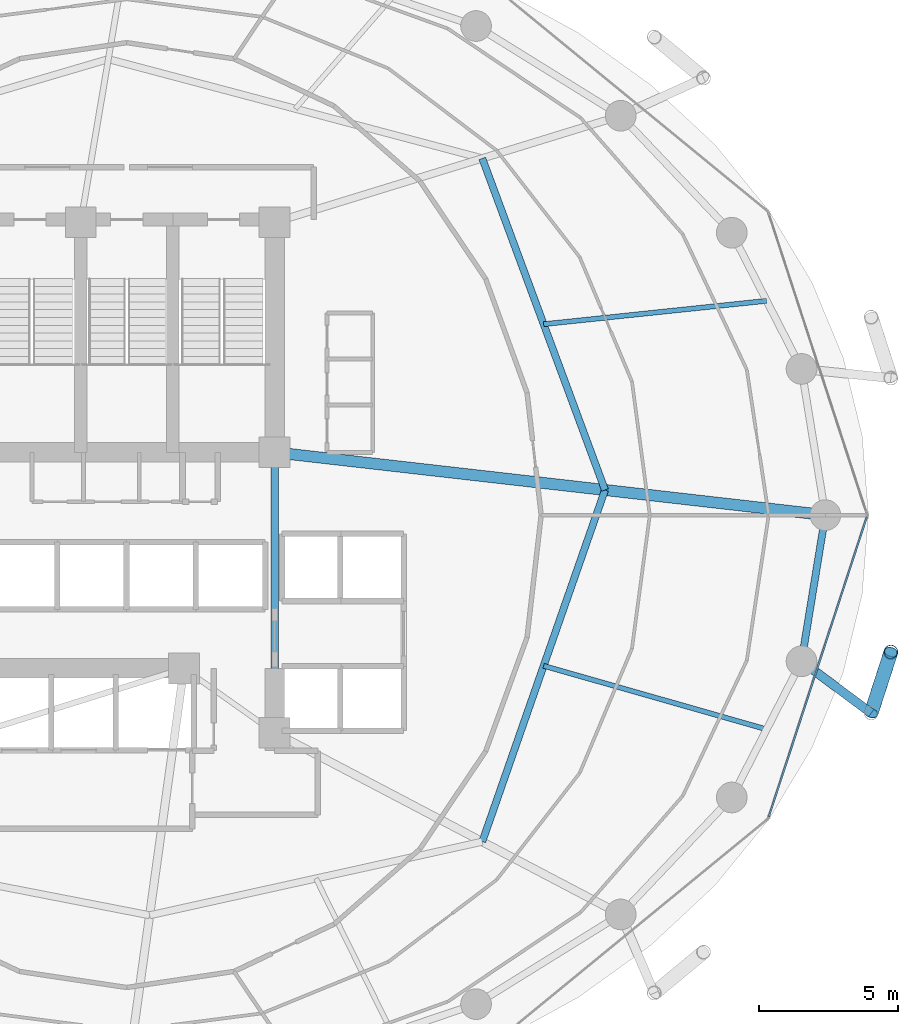
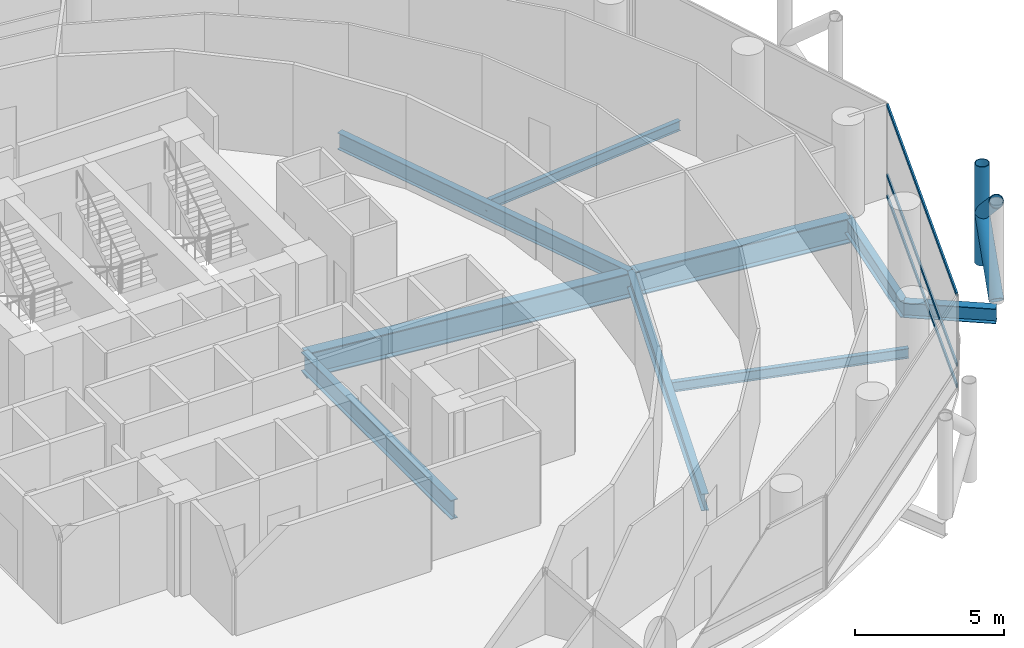
# One storey, part 11 of 26: 8 beams, 6 members, 1 element without a shape of its own.
"""IFC4 building model written with IfcOpenShell, lengths in metres."""

from ifc_helpers import new_model, si_unit, direction, frame, origin, origin_2d, place, context, subcontext, project, spatial, hollow_rectangle, hollow_circle, i_section, extrude, material, layer, layer_set, material_profile, profile_set, type_object, element, aggregate, save


model = new_model("IFC4")

# Units and contexts
model_context = context("Model", 3, precision=1e-05, world=origin(), true_north=direction((0.0, 1.0)))
body_context = subcontext(model_context, "Body", "Model", "MODEL_VIEW")
ifc_project = project(units=[si_unit("LENGTHUNIT", "METRE"), si_unit("AREAUNIT", "SQUARE_METRE"), si_unit("VOLUMEUNIT", "CUBIC_METRE"), si_unit("PLANEANGLEUNIT", "RADIAN"), si_unit("MASSUNIT", "GRAM", prefix="KILO")], contexts=[model_context])

# Site, building, storey
site_placement = place(None, origin())
site = spatial("IfcSite", under=ifc_project, at=site_placement, CompositionType="ELEMENT")
building_placement = place(site_placement, origin())
building = spatial("IfcBuilding", under=site, at=building_placement, Name="Nuhasar Tower", CompositionType="ELEMENT")
storey_placement = place(building_placement, frame((0.0, 0.0, 93.89990234375)))
storey = spatial("IfcBuildingStorey", under=building, at=storey_placement, Name="L22", CompositionType="ELEMENT", Elevation=93.89990234375)

# Beams
ifc_material_1 = material(Name="Steel S355", Category="steel")
ifc_material_profile_1 = material_profile(ifc_material_1, i_section(OverallWidth=0.25390625, OverallDepth=0.68408203125, WebThickness=0.012451171875, FlangeThickness=0.018798828125, at=origin_2d()), Name="W27X94")
ifc_profile_set_1 = profile_set([ifc_material_profile_1], Name="Steel S355")
beam_type_1 = type_object("IfcBeamType", Name="BM-INRING-W27X94", PredefinedType="BEAM", material=ifc_profile_set_1)
beam_1_placement = place(storey_placement, frame((51.748046875, 15.089111328125, -0.591796875), z_axis=(0.329554049858, 0.944136710558, 0.0), x_axis=(-0.944136710558, 0.329554049858, 0.0)))
element("IfcBeam", 1, at=beam_1_placement, inside=storey, type_object=beam_type_1, Name="L22 Inner Header Beam 03", PredefinedType="BEAM", context=body_context, shape_type="SweptSolid", body=[
    extrude(i_section(OverallWidth=0.25390625, OverallDepth=0.68408203125, WebThickness=0.012451171875, FlangeThickness=0.018798828125, at=origin_2d()), origin(), (0.0, 0.0, 1.0), 13.35693359375),
])
beam_2_placement = place(storey_placement, frame((56.14990234375, 27.699951171875, -0.591796875), z_axis=(-0.34715757476, 0.937806812881, 0.0), x_axis=(-0.937806812881, -0.34715757476, 0.0)))
element("IfcBeam", 2, at=beam_2_placement, inside=storey, type_object=beam_type_1, Name="L22 Inner Header Beam 04", PredefinedType="BEAM", context=body_context, shape_type="SweptSolid", body=[
    extrude(i_section(OverallWidth=0.25390625, OverallDepth=0.68408203125, WebThickness=0.012451171875, FlangeThickness=0.018798828125, at=origin_2d()), origin(), (0.0, 0.0, 1.0), 12.6796875),
])
ifc_material_profile_2 = material_profile(ifc_material_1, i_section(OverallWidth=0.177978515625, OverallDepth=0.406005859375, WebThickness=0.0078125, FlangeThickness=0.0126953125, at=origin_2d()), Name="W16X40")
ifc_profile_set_2 = profile_set([ifc_material_profile_2], Name="Steel S355")
beam_type_2 = type_object("IfcBeamType", Name="BM-JST-W16X40", PredefinedType="JOIST", material=ifc_profile_set_2)
beam_3_placement = place(storey_placement, frame((53.948974609375, 21.39501953125, -0.452880859375), z_axis=(0.961730884496, -0.273995813484, 0.0), x_axis=(0.273995813484, 0.961730884496, 0.0)))
element("IfcBeam", 3, at=beam_3_placement, inside=storey, type_object=beam_type_2, Name="L22 Secondary Floor Joist 03", PredefinedType="JOIST", context=body_context, shape_type="SweptSolid", body=[
    extrude(i_section(OverallWidth=0.177978515625, OverallDepth=0.406005859375, WebThickness=0.0078125, FlangeThickness=0.0126953125, at=origin_2d()), origin(), (0.0, 0.0, 1.0), 8.314208984375),
])
beam_4_placement = place(storey_placement, frame((53.948974609375, 33.64501953125, -0.452880859375), z_axis=(0.994554594377, 0.104216883485, 0.0), x_axis=(-0.104216883485, 0.994554594377, 0.0)))
element("IfcBeam", 4, at=beam_4_placement, inside=storey, type_object=beam_type_2, Name="L22 Secondary Floor Joist 04", PredefinedType="JOIST", context=body_context, shape_type="SweptSolid", body=[
    extrude(i_section(OverallWidth=0.177978515625, OverallDepth=0.406005859375, WebThickness=0.0078125, FlangeThickness=0.0126953125, at=origin_2d()), origin(), (0.0, 0.0, 1.0), 8.039794921875),
])
ifc_material_profile_3 = material_profile(ifc_material_1, i_section(OverallWidth=0.26611328125, OverallDepth=0.779052734375, WebThickness=0.0166015625, FlangeThickness=0.030029296875, at=origin_2d()), Name="W30X148")
ifc_profile_set_3 = profile_set([ifc_material_profile_3], Name="Steel S355")
beam_type_3 = type_object("IfcBeamType", Name="BM-RAD-W30X148", PredefinedType="BEAM", material=ifc_profile_set_3)
beam_5_placement = place(storey_placement, frame((44.300048828125, 19.0, -0.638916015625), z_axis=(0.0, 1.0, 0.0), x_axis=(-1.0, 0.0, 0.0)))
element("IfcBeam", 5, at=beam_5_placement, inside=storey, type_object=beam_type_3, Name="L22 Core Ring Girder 3", PredefinedType="BEAM", context=body_context, shape_type="SweptSolid", body=[
    extrude(i_section(OverallWidth=0.26611328125, OverallDepth=0.779052734375, WebThickness=0.0166015625, FlangeThickness=0.030029296875, at=origin_2d()), origin(), (0.0, 0.0, 1.0), 10.050048828125),
])
ifc_material_profile_4 = material_profile(ifc_material_1, i_section(OverallWidth=0.256103515625, OverallDepth=0.693115234375, WebThickness=0.014404296875, FlangeThickness=0.023681640625, at=origin_2d()), Name="W27X114")
ifc_profile_set_4 = profile_set([ifc_material_profile_4], Name="Steel S355")
beam_type_4 = type_object("IfcBeamType", Name="BM-RING-W27X114", PredefinedType="SPANDREL", material=ifc_profile_set_4)
beam_6_placement = place(storey_placement, frame((63.196044921875, 21.55908203125, -0.596923828125), z_axis=(0.160826635486, 0.986982671235, 0.0), x_axis=(-0.986982671235, 0.160826635486, 0.0)))
element("IfcBeam", 6, at=beam_6_placement, inside=storey, type_object=beam_type_4, Name="L22 Perimeter Ring Spandrel 24", PredefinedType="SPANDREL", context=body_context, shape_type="SweptSolid", body=[
    extrude(i_section(OverallWidth=0.256103515625, OverallDepth=0.693115234375, WebThickness=0.014404296875, FlangeThickness=0.023681640625, at=origin_2d()), origin(), (0.0, 0.0, 1.0), 5.31005859375),
])
ifc_material_profile_5 = material_profile(ifc_material_1, i_section(OverallWidth=0.323974609375, OverallDepth=0.611083984375, WebThickness=0.0126953125, FlangeThickness=0.01904296875, at=origin_2d()), Name="W24X104")
ifc_profile_set_5 = profile_set([ifc_material_profile_5], Name="Steel S355")
beam_type_5 = type_object("IfcBeamType", Name="BM-TIE-W24X104", PredefinedType="BEAM", material=ifc_profile_set_5)
beam_7_placement = place(storey_placement, frame((63.196044921875, 21.55908203125, -0.554931640625), z_axis=(0.802113478067, -0.597171640572, 0.0), x_axis=(0.597171640572, 0.802113478067, 0.0)))
element("IfcBeam", 7, at=beam_7_placement, inside=storey, type_object=beam_type_5, Name="L22 Exoskeleton Node Tie Beam 12", PredefinedType="BEAM", context=body_context, shape_type="SweptSolid", body=[
    extrude(i_section(OverallWidth=0.323974609375, OverallDepth=0.611083984375, WebThickness=0.0126953125, FlangeThickness=0.01904296875, at=origin_2d()), origin(), (0.0, 0.0, 1.0), 3.111572265625),
])
ifc_material_2 = material(Name="Steel S460", Category="steel")
ifc_material_profile_6 = material_profile(ifc_material_2, i_section(OverallWidth=0.40087890625, OverallDepth=1.010009765625, WebThickness=0.023681640625, FlangeThickness=0.0419921875, at=origin_2d()), Name="W40X297")
ifc_profile_set_6 = profile_set([ifc_material_profile_6], Name="Steel S460")
beam_type_6 = type_object("IfcBeamType", Name="BM-XFER-W40X297", PredefinedType="USERDEFINED", material=ifc_profile_set_6)
beam_8_placement = place(storey_placement, frame((44.300048828125, 29.050048828125, -0.7548828125), z_axis=(0.993573147212, -0.113191877531, 0.0), x_axis=(0.113191877531, 0.993573147212, 0.0)))
element("IfcBeam", 8, at=beam_8_placement, inside=storey, type_object=beam_type_6, Name="L22 Radial Floor Girder 04", ObjectType="GIRDER", PredefinedType="USERDEFINED", context=body_context, shape_type="SweptSolid", body=[
    extrude(i_section(OverallWidth=0.40087890625, OverallDepth=1.010009765625, WebThickness=0.023681640625, FlangeThickness=0.0419921875, at=origin_2d()), origin(), (0.0, 0.0, 1.0), 19.877685546875),
])

# Curtain wall, members
ifc_material_3 = material(Name="Aluminium 6063-T6", Category="aluminium")
ifc_layer = layer(ifc_material_3, 0.199951171875)
ifc_layer_set = layer_set([ifc_layer], Name="Aluminium 6063-T6")
curtain_wall_type = type_object("IfcCurtainWallType", Name="CW-Z1-OFF", PredefinedType="NOTDEFINED", material=ifc_layer_set)
curtain_wall_placement = place(storey_placement, origin())
curtain_wall = element("IfcCurtainWall", 9, at=curtain_wall_placement, inside=storey, type_object=curtain_wall_type, Name="L22 Unitised Curtain Wall 12", PredefinedType="NOTDEFINED")
ifc_material_profile_7 = material_profile(ifc_material_3, hollow_rectangle(XDim=0.06494140625, YDim=0.14990234375, WallThickness=0.00439453125, at=origin_2d()), Name="CWT-2")
ifc_profile_set_7 = profile_set([ifc_material_profile_7], Name="Aluminium 6063-T6")
member_type_1 = type_object("IfcMemberType", Name="CW-TRN-S2", PredefinedType="USERDEFINED", material=ifc_profile_set_7)
member_1_placement = place(storey_placement, frame((62.022216796875, 15.981689453125, 0.03271484375), z_axis=(0.310818687697, 0.950469222741, 0.0), x_axis=(-0.950469222741, 0.310818687697, 0.0)))
member_1 = element("IfcMember", 10, at=member_1_placement, type_object=member_type_1, Name="CW-Z1 transom 1.1", ObjectType="TRANSOM", PredefinedType="USERDEFINED", context=body_context, shape_type="SweptSolid", body=[
    extrude(hollow_rectangle(XDim=0.06494140625, YDim=0.14990234375, WallThickness=0.00439453125, at=origin_2d()), origin(), (0.0, 0.0, 1.0), 11.317138671875),
])
member_2_placement = place(storey_placement, frame((62.022216796875, 15.981689453125, 0.900146484375), z_axis=(0.310818687697, 0.950469222741, 0.0), x_axis=(-0.950469222741, 0.310818687697, 0.0)))
member_2 = element("IfcMember", 11, at=member_2_placement, type_object=member_type_1, Name="CW-Z1 transom 1.2", ObjectType="TRANSOM", PredefinedType="USERDEFINED", context=body_context, shape_type="SweptSolid", body=[
    extrude(hollow_rectangle(XDim=0.06494140625, YDim=0.14990234375, WallThickness=0.00439453125, at=origin_2d()), origin(), (0.0, 0.0, 1.0), 11.317138671875),
])
member_3_placement = place(storey_placement, frame((62.022216796875, 15.981689453125, 3.767578125), z_axis=(0.310818687697, 0.950469222741, 0.0), x_axis=(-0.950469222741, 0.310818687697, 0.0)))
member_3 = element("IfcMember", 12, at=member_3_placement, type_object=member_type_1, Name="CW-Z1 transom 1.3", ObjectType="TRANSOM", PredefinedType="USERDEFINED", context=body_context, shape_type="SweptSolid", body=[
    extrude(hollow_rectangle(XDim=0.06494140625, YDim=0.14990234375, WallThickness=0.00439453125, at=origin_2d()), origin(), (0.0, 0.0, 1.0), 11.317138671875),
])
aggregate(curtain_wall, [member_1, member_2, member_3])

# Members
ifc_material_profile_8 = material_profile(ifc_material_2, hollow_circle(Radius=0.25390625, WallThickness=0.025390625, at=origin_2d()), Name="HSS508X25.4")
ifc_profile_set_8 = profile_set([ifc_material_profile_8], Name="Steel S460")
member_type_2 = type_object("IfcMemberType", Name="EXO-BRONZE-508", PredefinedType="BRACE", material=ifc_profile_set_8)
member_4_placement = place(storey_placement, frame((66.39990234375, 21.889892578125, 0.0), z_axis=(0.0, 0.0, 1.0), x_axis=(1.0, 0.0, 0.0)))
element("IfcMember", 13, at=member_4_placement, inside=storey, type_object=member_type_2, Name="L22 Exoskeleton Chord Column EC-12B", PredefinedType="BRACE", context=body_context, shape_type="SweptSolid", body=[
    extrude(hollow_circle(Radius=0.25390625, WallThickness=0.025390625, at=origin_2d()), origin(), (0.0, 0.0, 1.0), 4.050048828125),
])
member_5_placement = place(storey_placement, frame((65.69189453125, 19.700927734375, 0.0), z_axis=(0.230999678299, 0.714187281251, 0.660738734997), x_axis=(-0.951468282519, 0.307746823478, 0.0)))
element("IfcMember", 14, at=member_5_placement, inside=storey, type_object=member_type_2, Name="L22 Bronze Diagrid Brace W1-12", PredefinedType="BRACE", context=body_context, shape_type="SweptSolid", body=[
    extrude(hollow_circle(Radius=0.25390625, WallThickness=0.025390625, at=origin_2d()), origin(), (0.0, 0.0, 1.0), 3.06494140625),
])
member_6_placement = place(storey_placement, frame((66.39990234375, 21.889892578125, 2.025146484375), z_axis=(-0.231011836313, -0.714224870475, 0.660693851854), x_axis=(0.951468282519, -0.307746823478, 0.0)))
element("IfcMember", 15, at=member_6_placement, inside=storey, type_object=member_type_2, Name="L22 Bronze Diagrid Brace W2-12", PredefinedType="BRACE", context=body_context, shape_type="SweptSolid", body=[
    extrude(hollow_circle(Radius=0.25390625, WallThickness=0.025390625, at=origin_2d()), origin(), (0.0, 0.0, 1.0), 3.064697265625),
])

save(model, "model.ifc")
